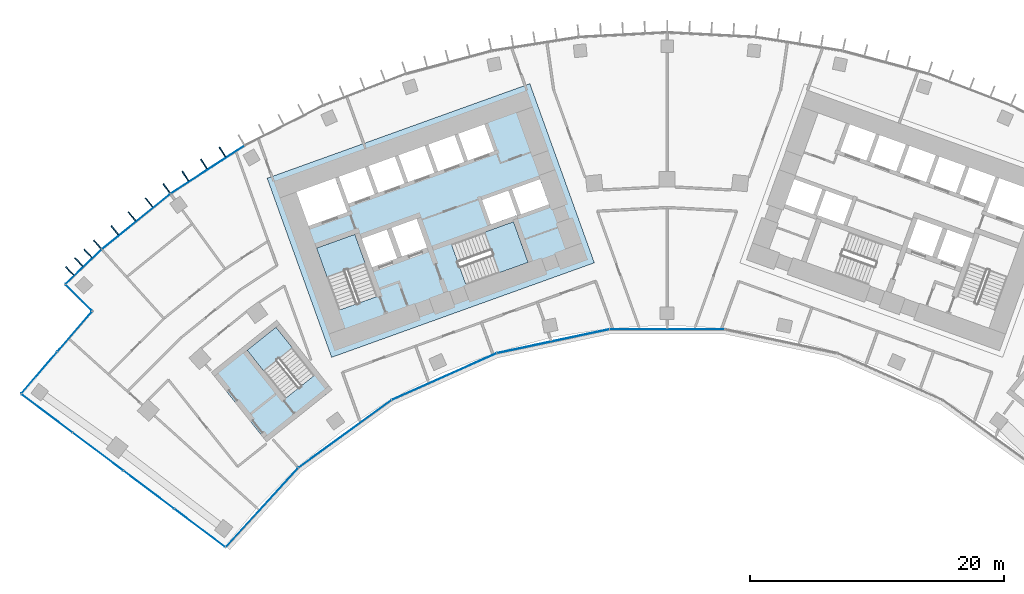
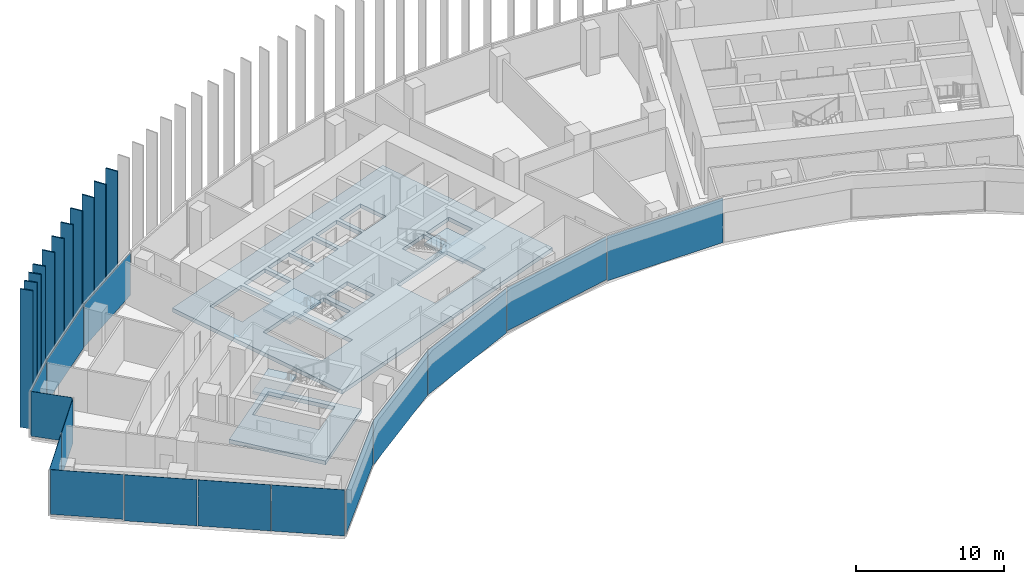
# One storey, part 12 of 22: 26 plates, 5 slabs, 8 elements without a shape of their own.
"""IFC4 building model written with IfcOpenShell, lengths in metres."""

from ifc_helpers import new_model, si_unit, direction, frame, origin, origin_2d, place, context, subcontext, project, spatial, polyline, rectangle, outline, extrude, material, layer, layer_set, type_object, element, aggregate, save


model = new_model("IFC4")

# Units and contexts
model_context = context("Model", 3, precision=1e-05, world=origin(), true_north=direction((0.0, 1.0)))
body_context = subcontext(model_context, "Body", "Model", "MODEL_VIEW")
ifc_project = project(units=[si_unit("LENGTHUNIT", "METRE"), si_unit("AREAUNIT", "SQUARE_METRE"), si_unit("VOLUMEUNIT", "CUBIC_METRE"), si_unit("PLANEANGLEUNIT", "RADIAN"), si_unit("MASSUNIT", "GRAM", prefix="KILO")], contexts=[model_context])

# Site, building, storey
site_placement = place(None, origin())
site = spatial("IfcSite", under=ifc_project, at=site_placement, CompositionType="ELEMENT")
building_placement = place(site_placement, origin())
building = spatial("IfcBuilding", under=site, at=building_placement, Name="Stone Belt Terrace Tower", CompositionType="ELEMENT")
storey_placement = place(building_placement, frame((0.0, 0.0, 155.39990234375)))
storey = spatial("IfcBuildingStorey", under=building, at=storey_placement, Name="L37", CompositionType="ELEMENT", Elevation=155.39990234375)

# Curtain wall, plates
ifc_material_1 = material(Name="Aluminium 6063-T6 anodised frame", Category="aluminium")
ifc_layer_1 = layer(ifc_material_1, 0.14990234375)
ifc_layer_set_1 = layer_set([ifc_layer_1], Name="CW-A unitised convex-face curtain wall")
curtain_wall_type_1 = type_object("IfcCurtainWallType", Name="CW-A unitised convex-face curtain wall", PredefinedType="NOTDEFINED", material=ifc_layer_set_1)
curtain_wall_1_placement = place(storey_placement, origin())
curtain_wall_1 = element("IfcCurtainWall", 1, at=curtain_wall_1_placement, inside=storey, type_object=curtain_wall_type_1, Name="CW-A convex face L37", PredefinedType="NOTDEFINED")
ifc_material_2 = material(Name="Clear double glazed unit")
ifc_layer_2 = layer(ifc_material_2, 0.031982421875)
ifc_layer_set_2 = layer_set([ifc_layer_2], Name="CW-A glass panel 32")
plate_type_1 = type_object("IfcPlateType", Name="CW-A glass panel 32", PredefinedType="CURTAIN_PANEL", material=ifc_layer_set_2)
plate_1_placement = place(storey_placement, frame((-36.209716796875, 55.758056640625, 0.14013671875), z_axis=(0.0, 0.0, 1.0), x_axis=(-0.838670567945, -0.544639035015, 0.0)))
plate_1 = element("IfcPlate", 2, at=plate_1_placement, type_object=plate_type_1, Name="CW-A panel 14.1", PredefinedType="CURTAIN_PANEL", context=body_context, shape_type="SweptSolid", body=[
    extrude(rectangle(XDim=6.90087890625, YDim=0.031982421875, at=origin_2d()), origin(), (0.0, 0.0, 1.0), 3.52001953125),
])
plate_2_placement = place(storey_placement, frame((-41.839599609375, 51.667724609375, 0.14013671875), z_axis=(0.0, 0.0, 1.0), x_axis=(-0.777145961457, -0.62932039105, 0.0)))
plate_2 = element("IfcPlate", 3, at=plate_2_placement, type_object=plate_type_1, Name="CW-A panel 15.1", PredefinedType="CURTAIN_PANEL", context=body_context, shape_type="SweptSolid", body=[
    extrude(rectangle(XDim=6.900634765625, YDim=0.031982421875, at=origin_2d()), origin(), (0.0, 0.0, 1.0), 3.52001953125),
])
plate_3_placement = place(storey_placement, frame((-45.9765625, 48.109619140625, 0.14013671875), z_axis=(0.0, 0.0, 1.0), x_axis=(-0.723120883539, -0.690721497993, 0.0)))
plate_3 = element("IfcPlate", 4, at=plate_3_placement, type_object=plate_type_1, Name="CW-A panel 16.1", PredefinedType="CURTAIN_PANEL", context=body_context, shape_type="SweptSolid", body=[
    extrude(rectangle(XDim=3.888671875, YDim=0.031982421875, at=origin_2d()), origin(), (0.0, 0.0, 1.0), 3.52001953125),
])
aggregate(curtain_wall_1, [plate_1, plate_2, plate_3])

ifc_layer_3 = layer(ifc_material_1, 0.14990234375)
ifc_layer_set_3 = layer_set([ifc_layer_3], Name="CW-B unitised concave-face curtain wall")
curtain_wall_type_2 = type_object("IfcCurtainWallType", Name="CW-B unitised concave-face curtain wall", PredefinedType="NOTDEFINED", material=ifc_layer_set_3)
curtain_wall_2_placement = place(storey_placement, origin())
curtain_wall_2 = element("IfcCurtainWall", 5, at=curtain_wall_2_placement, inside=storey, type_object=curtain_wall_type_2, Name="CW-B concave face L37", PredefinedType="NOTDEFINED")
ifc_layer_4 = layer(ifc_material_2, 0.030029296875)
ifc_layer_set_4 = layer_set([ifc_layer_4], Name="CW-B glass panel 30")
plate_type_2 = type_object("IfcPlateType", Name="CW-B glass panel 30", PredefinedType="CURTAIN_PANEL", material=ifc_layer_set_4)
plate_4_placement = place(storey_placement, frame((-31.9111328125, 29.148681640625, 0.1201171875), z_axis=(0.0, 0.0, 1.0), x_axis=(0.674760998748, 0.73803630979, 0.0)))
plate_4 = element("IfcPlate", 6, at=plate_4_placement, type_object=plate_type_2, Name="CW-B panel 1.1", PredefinedType="CURTAIN_PANEL", context=body_context, shape_type="SweptSolid", body=[
    extrude(rectangle(XDim=8.39501953125, YDim=0.030029296875, at=origin_2d()), origin(), (0.0, 0.0, 1.0), 3.56005859375),
])
plate_5_placement = place(storey_placement, frame((-25.384765625, 34.938720703125, 0.0), z_axis=(0.0, 0.0, 1.0), x_axis=(0.809016994375, 0.587785252292, 0.0)))
plate_5 = element("IfcPlate", 7, at=plate_5_placement, type_object=plate_type_2, Name="CW-B panel 2.1", PredefinedType="CURTAIN_PANEL", context=body_context, shape_type="SweptSolid", body=[
    extrude(rectangle(XDim=9.013427734375, YDim=0.030029296875, at=origin_2d()), origin(), (0.0, 0.0, 1.0), 3.679931640625),
])
plate_6_placement = place(storey_placement, frame((-17.565673828125, 39.453125, 0.0), z_axis=(0.0, 0.0, 1.0), x_axis=(0.913545457643, 0.406736643076, 0.0)))
plate_6 = element("IfcPlate", 8, at=plate_6_placement, type_object=plate_type_2, Name="CW-B panel 3.1", PredefinedType="CURTAIN_PANEL", context=body_context, shape_type="SweptSolid", body=[
    extrude(rectangle(XDim=9.0126953125, YDim=0.030029296875, at=origin_2d()), origin(), (0.0, 0.0, 1.0), 3.679931640625),
])
plate_7_placement = place(storey_placement, frame((-8.97900390625, 42.242919921875, 0.1201171875), z_axis=(0.0, 0.0, 1.0), x_axis=(0.978147600734, 0.207911690818, 0.0)))
plate_7 = element("IfcPlate", 9, at=plate_7_placement, type_object=plate_type_2, Name="CW-B panel 4.1", PredefinedType="CURTAIN_PANEL", context=body_context, shape_type="SweptSolid", body=[
    extrude(rectangle(XDim=9.0126953125, YDim=0.030029296875, at=origin_2d()), origin(), (0.0, 0.0, 1.0), 3.56005859375),
])
plate_8_placement = place(storey_placement, frame((0.0, 43.186767578125, 0.0), z_axis=(0.0, 0.0, 1.0), x_axis=(1.0, 0.0, 0.0)))
plate_8 = element("IfcPlate", 10, at=plate_8_placement, type_object=plate_type_2, Name="CW-B panel 5.1", PredefinedType="CURTAIN_PANEL", context=body_context, shape_type="SweptSolid", body=[
    extrude(rectangle(XDim=9.0126953125, YDim=0.030029296875, at=origin_2d()), origin(), (0.0, 0.0, 1.0), 3.679931640625),
])
aggregate(curtain_wall_2, [plate_4, plate_5, plate_6, plate_7, plate_8])

# Curtain wall, plate
ifc_layer_5 = layer(ifc_material_1, 0.14990234375)
ifc_layer_set_5 = layer_set([ifc_layer_5], Name="CW-C stick curtain wall, horn ends and notches")
curtain_wall_type_3 = type_object("IfcCurtainWallType", Name="CW-C stick curtain wall, horn ends and notches", PredefinedType="NOTDEFINED", material=ifc_layer_set_5)
curtain_wall_3_placement = place(storey_placement, origin())
curtain_wall_3 = element("IfcCurtainWall", 11, at=curtain_wall_3_placement, inside=storey, type_object=curtain_wall_type_3, Name="CW-C notch face L37", PredefinedType="NOTDEFINED")
ifc_layer_6 = layer(ifc_material_2, 0.028076171875)
ifc_layer_set_6 = layer_set([ifc_layer_6], Name="CW-C glass panel 28")
plate_type_3 = type_object("IfcPlateType", Name="CW-C glass panel 28", PredefinedType="CURTAIN_PANEL", material=ifc_layer_set_6)
plate_9_placement = place(storey_placement, frame((-46.365966796875, 45.658447265625, 0.1201171875), z_axis=(0.0, 0.0, 1.0), x_axis=(0.711713447851, -0.702469905511, 0.0)))
plate_9 = element("IfcPlate", 12, at=plate_9_placement, type_object=plate_type_3, Name="CW-C panel 1.1", PredefinedType="CURTAIN_PANEL", context=body_context, shape_type="SweptSolid", body=[
    extrude(rectangle(XDim=2.859375, YDim=0.028076171875, at=origin_2d()), origin(), (0.0, 0.0, 1.0), 3.679931640625),
])
aggregate(curtain_wall_3, [plate_9])

# Curtain wall, plates
curtain_wall_4_placement = place(storey_placement, origin())
curtain_wall_4 = element("IfcCurtainWall", 13, at=curtain_wall_4_placement, inside=storey, type_object=curtain_wall_type_3, Name="CW-C notch face L37", PredefinedType="NOTDEFINED")
plate_10_placement = place(storey_placement, frame((-46.68896484375, 42.986572265625, 0.1201171875), z_axis=(0.0, 0.0, 1.0), x_axis=(-0.652737860281, -0.757583847343, 0.0)))
plate_10 = element("IfcPlate", 14, at=plate_10_placement, type_object=plate_type_3, Name="CW-C panel 1.1", PredefinedType="CURTAIN_PANEL", context=body_context, shape_type="SweptSolid", body=[
    extrude(rectangle(XDim=4.12060546875, YDim=0.028076171875, at=origin_2d()), origin(), (0.0, 0.0, 1.0), 3.679931640625),
])
plate_11_placement = place(storey_placement, frame((-49.466064453125, 39.76318359375, 0.0), z_axis=(0.0, 0.0, 1.0), x_axis=(-0.652737860281, -0.757583847343, 0.0)))
plate_11 = element("IfcPlate", 15, at=plate_11_placement, type_object=plate_type_3, Name="CW-C panel 2.1", PredefinedType="CURTAIN_PANEL", context=body_context, shape_type="SweptSolid", body=[
    extrude(rectangle(XDim=4.268798828125, YDim=0.028076171875, at=origin_2d()), origin(), (0.0, 0.0, 1.0), 3.800048828125),
])
aggregate(curtain_wall_4, [plate_10, plate_11])

curtain_wall_5_placement = place(storey_placement, origin())
curtain_wall_5 = element("IfcCurtainWall", 16, at=curtain_wall_5_placement, inside=storey, type_object=curtain_wall_type_3, Name="CW-C end face L37", PredefinedType="NOTDEFINED")
plate_12_placement = place(storey_placement, frame((-48.858154296875, 36.551513671875, 0.1201171875), z_axis=(0.0, 0.0, 1.0), x_axis=(0.799986505357, -0.600017992436, 0.0)))
plate_12 = element("IfcPlate", 17, at=plate_12_placement, type_object=plate_type_3, Name="CW-C panel 1.1", PredefinedType="CURTAIN_PANEL", context=body_context, shape_type="SweptSolid", body=[
    extrude(rectangle(XDim=4.974853515625, YDim=0.028076171875, at=origin_2d()), origin(), (0.0, 0.0, 1.0), 3.679931640625),
])
plate_13_placement = place(storey_placement, frame((-44.84423828125, 33.541015625, 0.0), z_axis=(0.0, 0.0, 1.0), x_axis=(0.799986505357, -0.600017992436, 0.0)))
plate_13 = element("IfcPlate", 18, at=plate_13_placement, type_object=plate_type_3, Name="CW-C panel 2.1", PredefinedType="CURTAIN_PANEL", context=body_context, shape_type="SweptSolid", body=[
    extrude(rectangle(XDim=4.93994140625, YDim=0.028076171875, at=origin_2d()), origin(), (0.0, 0.0, 1.0), 3.800048828125),
])
plate_14_placement = place(storey_placement, frame((-40.84423828125, 30.541015625, 0.0), z_axis=(0.0, 0.0, 1.0), x_axis=(0.799986505357, -0.600017992436, 0.0)))
plate_14 = element("IfcPlate", 19, at=plate_14_placement, type_object=plate_type_3, Name="CW-C panel 3.1", PredefinedType="CURTAIN_PANEL", context=body_context, shape_type="SweptSolid", body=[
    extrude(rectangle(XDim=4.93994140625, YDim=0.028076171875, at=origin_2d()), origin(), (0.0, 0.0, 1.0), 3.800048828125),
])
plate_15_placement = place(storey_placement, frame((-36.834228515625, 27.533203125, 0.0), z_axis=(0.0, 0.0, 1.0), x_axis=(0.799986505357, -0.600017992436, 0.0)))
plate_15 = element("IfcPlate", 20, at=plate_15_placement, type_object=plate_type_3, Name="CW-C panel 4.1", PredefinedType="CURTAIN_PANEL", context=body_context, shape_type="SweptSolid", body=[
    extrude(rectangle(XDim=4.96533203125, YDim=0.028076171875, at=origin_2d()), origin(), (0.0, 0.0, 1.0), 3.800048828125),
])
aggregate(curtain_wall_5, [plate_12, plate_13, plate_14, plate_15])

# Slabs
ifc_material_3 = material(Name="Concrete B40", Category="concrete")
ifc_layer_7 = layer(ifc_material_3, 0.320068359375)
ifc_layer_set_7 = layer_set([ifc_layer_7], Name="Core floor slab 320")
slab_type_1 = type_object("IfcSlabType", Name="Core floor slab 320", PredefinedType="FLOOR", material=ifc_layer_set_7)
slab_1_placement = place(storey_placement, frame((0.0, 0.0, -0.31982421875)))
element("IfcSlab", 21, at=slab_1_placement, inside=storey, type_object=slab_type_1, Name="Core A floor L37", PredefinedType="FLOOR", context=body_context, shape_type="SweptSolid", body=[
    extrude(outline(polyline([(-26.43505859375, 40.968994140625), (-5.735107421875, 48.4189453125), (-10.81396484375, 62.531982421875), (-31.513916015625, 55.0830078125), (-26.43505859375, 40.968994140625)]), holes=[polyline([(-24.60791015625, 50.659912109375), (-22.847900390625, 45.76806640625), (-25.85888671875, 44.68408203125), (-27.618896484375, 49.575927734375), (-24.60791015625, 50.659912109375)]), polyline([(-23.25, 48.06689453125), (-24.06298828125, 50.324951171875), (-22.0869140625, 51.035888671875), (-21.27392578125, 48.778076171875), (-23.25, 48.06689453125)]), polyline([(-20.89794921875, 48.9130859375), (-21.7109375, 51.1708984375), (-19.735107421875, 51.883056640625), (-18.922119140625, 49.6240234375), (-20.89794921875, 48.9130859375)]), polyline([(-28.24609375, 51.31689453125), (-29.2109375, 53.9990234375), (-26.153076171875, 55.09912109375), (-25.18798828125, 52.41796875), (-28.24609375, 51.31689453125)]), polyline([(-23.801025390625, 55.946044921875), (-23.0390625, 53.8291015625), (-25.10888671875, 53.083984375), (-25.87109375, 55.200927734375), (-23.801025390625, 55.946044921875)]), polyline([(-21.447998046875, 56.7919921875), (-20.68603515625, 54.675048828125), (-22.756103515625, 53.929931640625), (-23.51806640625, 56.047119140625), (-21.447998046875, 56.7919921875)]), polyline([(-10.955078125, 48.452880859375), (-15.846923828125, 46.69189453125), (-16.998046875, 49.89208984375), (-12.10595703125, 51.652099609375), (-10.955078125, 48.452880859375)]), polyline([(-11.847900390625, 52.116943359375), (-11.864990234375, 52.1640625), (-13.887939453125, 51.43603515625), (-14.58203125, 53.364990234375), (-12.511962890625, 54.110107421875), (-11.801025390625, 52.134033203125), (-11.847900390625, 52.116943359375)]), polyline([(-9.30810546875, 53.031005859375), (-11.51904296875, 52.235107421875), (-12.22998046875, 54.2109375), (-10.01904296875, 55.007080078125), (-9.30810546875, 53.031005859375)]), polyline([(-21.166015625, 56.89404296875), (-19.095947265625, 57.638916015625), (-18.333984375, 55.52197265625), (-20.404052734375, 54.777099609375), (-21.166015625, 56.89404296875)]), polyline([(-16.743896484375, 58.485107421875), (-15.98193359375, 56.367919921875), (-18.052001953125, 55.623046875), (-18.81396484375, 57.739990234375), (-16.743896484375, 58.485107421875)]), polyline([(-14.39111328125, 59.33203125), (-13.6298828125, 57.215087890625), (-15.699951171875, 56.469970703125), (-16.4609375, 58.5869140625), (-14.39111328125, 59.33203125)])]), origin(), (0.0, 0.0, 1.0), 0.31982421875),
])
slab_2_placement = place(storey_placement, frame((0.0, 0.0, -0.31982421875)))
element("IfcSlab", 22, at=slab_2_placement, inside=storey, type_object=slab_type_1, Name="Exit stair ST3A floor L37", PredefinedType="FLOOR", context=body_context, shape_type="SweptSolid", body=[
    extrude(outline(polyline([(-26.39404296875, 38.425048828125), (-30.756103515625, 43.89990234375), (-35.91796875, 39.787109375), (-31.555908203125, 34.31298828125), (-26.39404296875, 38.425048828125)]), holes=[polyline([(-27.798095703125, 39.544921875), (-30.06591796875, 37.738037109375), (-33.087890625, 41.531005859375), (-30.820068359375, 43.337890625), (-27.798095703125, 39.544921875)])]), origin(), (0.0, 0.0, 1.0), 0.31982421875),
])

# Stair, slab
stair_type = type_object("IfcStairType", Name="Exit stair 1500", PredefinedType="HALF_TURN_STAIR", material=ifc_material_3)
stair_1_placement = place(storey_placement, origin())
stair_1 = element("IfcStair", 23, at=stair_1_placement, inside=storey, type_object=stair_type, Name="L37 Exit stair 1 core A", PredefinedType="HALF_TURN_STAIR")
ifc_layer_8 = layer(ifc_material_3, 0.199951171875)
ifc_layer_set_8 = layer_set([ifc_layer_8], Name="Stair landing 200")
slab_type_2 = type_object("IfcSlabType", Name="Stair landing 200", PredefinedType="LANDING", material=ifc_layer_set_8)
slab_3_placement = place(storey_placement, frame((0.0, 0.0, 1.7001953125)))
slab_3 = element("IfcSlab", 24, at=slab_3_placement, type_object=slab_type_2, Name="ST1A landing 1", PredefinedType="LANDING", context=body_context, shape_type="SweptSolid", body=[
    extrude(outline(polyline([(-23.79541015625, 48.40087890625), (-24.6083984375, 50.659912109375), (-27.619384765625, 49.576171875), (-26.806396484375, 47.3173828125), (-23.79541015625, 48.40087890625)])), origin(), (0.0, 0.0, 1.0), 0.199951171875),
])
aggregate(stair_1, [slab_3])

stair_2_placement = place(storey_placement, origin())
stair_2 = element("IfcStair", 25, at=stair_2_placement, inside=storey, type_object=stair_type, Name="L37 Exit stair 2 core A", PredefinedType="HALF_TURN_STAIR")
slab_4_placement = place(storey_placement, frame((0.0, 0.0, 1.7001953125)))
slab_4 = element("IfcSlab", 26, at=slab_4_placement, type_object=slab_type_2, Name="ST2A landing 1", PredefinedType="LANDING", context=body_context, shape_type="SweptSolid", body=[
    extrude(outline(polyline([(-13.213623046875, 47.64013671875), (-10.95458984375, 48.453125), (-12.10595703125, 51.652099609375), (-14.36474609375, 50.839111328125), (-13.213623046875, 47.64013671875)])), origin(), (0.0, 0.0, 1.0), 0.199951171875),
])
aggregate(stair_2, [slab_4])

stair_3_placement = place(storey_placement, origin())
stair_3 = element("IfcStair", 27, at=stair_3_placement, inside=storey, type_object=stair_type, Name="L37 Exit stair 3A", PredefinedType="HALF_TURN_STAIR")
slab_5_placement = place(storey_placement, frame((0.0, 0.0, 1.7001953125)))
slab_5 = element("IfcSlab", 28, at=slab_5_placement, type_object=slab_type_2, Name="ST3A landing 1", PredefinedType="LANDING", context=body_context, shape_type="SweptSolid", body=[
    extrude(outline(polyline([(-29.541748046875, 41.73388671875), (-30.819580078125, 43.337890625), (-33.087646484375, 41.53076171875), (-31.809814453125, 39.9267578125), (-29.541748046875, 41.73388671875)])), origin(), (0.0, 0.0, 1.0), 0.199951171875),
])
aggregate(stair_3, [slab_5])

# Plates
ifc_material_4 = material(Name="Terracotta coloured glazed ceramic", Category="masonry")
ifc_layer_9 = layer(ifc_material_4, 0.10009765625)
ifc_layer_set_9 = layer_set([ifc_layer_9], Name="Terracotta fin 100 x 900")
plate_type_4 = type_object("IfcPlateType", Name="Terracotta fin 100 x 900", PredefinedType="SHEET", material=ifc_layer_set_9)
for number, where, z_axis, x_axis, name in (
    (29, (-35.03466796875, 57.147216796875, 0.000244140625), (0.0, 0.0, 1.0), (-0.544639035015, 0.838670567945, 0.0), "FIN L37 14.2"),
    (30, (-36.49560546875, 56.1982421875, 0.000244140625), (0.0, 0.0, 1.0), (-0.544639035015, 0.838670567945, 0.0), "FIN L37 14.3"),
    (31, (-37.956787109375, 55.24951171875, 0.000244140625), (0.0, 0.0, 1.0), (-0.544639035015, 0.838670567945, 0.0), "FIN L37 14.4"),
    (32, (-39.4404296875, 54.28515625, 0.000244140625), (0.0, 0.0, 1.0), (-0.587785252292, 0.809016994375, 0.0), "FIN L37 15.1"),
    (33, (-40.81591796875, 53.172119140625, 0.000244140625), (0.0, 0.0, 1.0), (-0.62932039105, 0.777145961457, 0.0), "FIN L37 15.2"),
    (34, (-42.169677734375, 52.075927734375, 0.000244140625), (0.0, 0.0, 1.0), (-0.62932039105, 0.777145961457, 0.0), "FIN L37 15.3"),
    (35, (-43.5234375, 50.979736328125, 0.000244140625), (0.0, 0.0, 1.0), (-0.62932039105, 0.777145961457, 0.0), "FIN L37 15.4"),
    (36, (-44.8935546875, 49.86962890625, 0.000244140625), (0.0, 0.0, 1.0), (-0.660573481499, 0.75076139721, 0.0), "FIN L37 16.1"),
    (37, (-45.6318359375, 49.1650390625, 0.000244140625), (0.0, 0.0, 1.0), (-0.690721497993, 0.723120883539, 0.0), "FIN L37 16.2"),
    (38, (-46.354248046875, 48.474853515625, 0.000244140625), (0.0, 0.0, 1.0), (-0.690721497993, 0.723120883539, 0.0), "FIN L37 16.3"),
    (39, (-47.07666015625, 47.784912109375, 0.000244140625), (0.0, 0.0, 1.0), (-0.690721497993, 0.723120883539, 0.0), "FIN L37 16.4"),
):
    element("IfcPlate", number, at=place(storey_placement, frame(where, z_axis=z_axis, x_axis=x_axis)), inside=storey, type_object=plate_type_4, Name=name, PredefinedType="SHEET", context=body_context, shape_type="SweptSolid", body=[
        extrude(rectangle(XDim=0.89990234375, YDim=0.10009765625, at=origin_2d()), origin(), (0.0, 0.0, 1.0), 11.39990234375),
    ])

save(model, "model.ifc")
